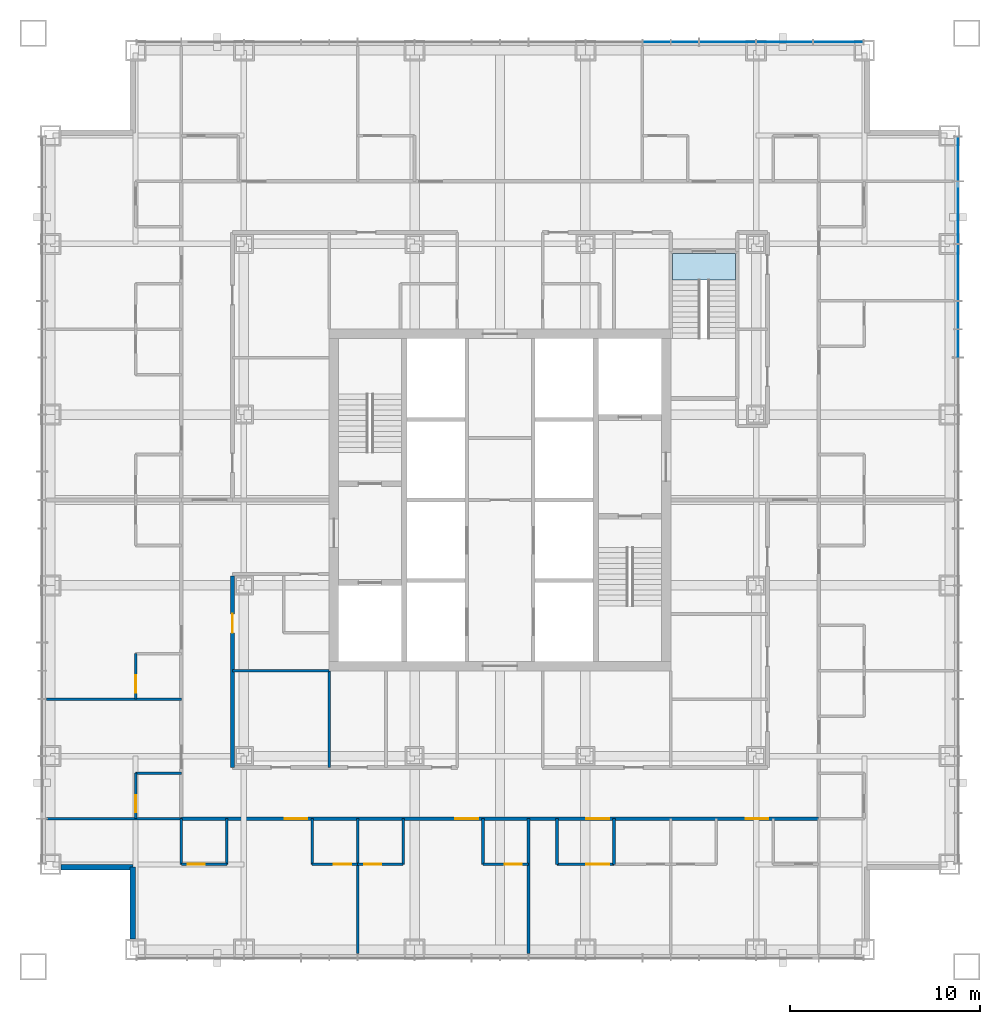
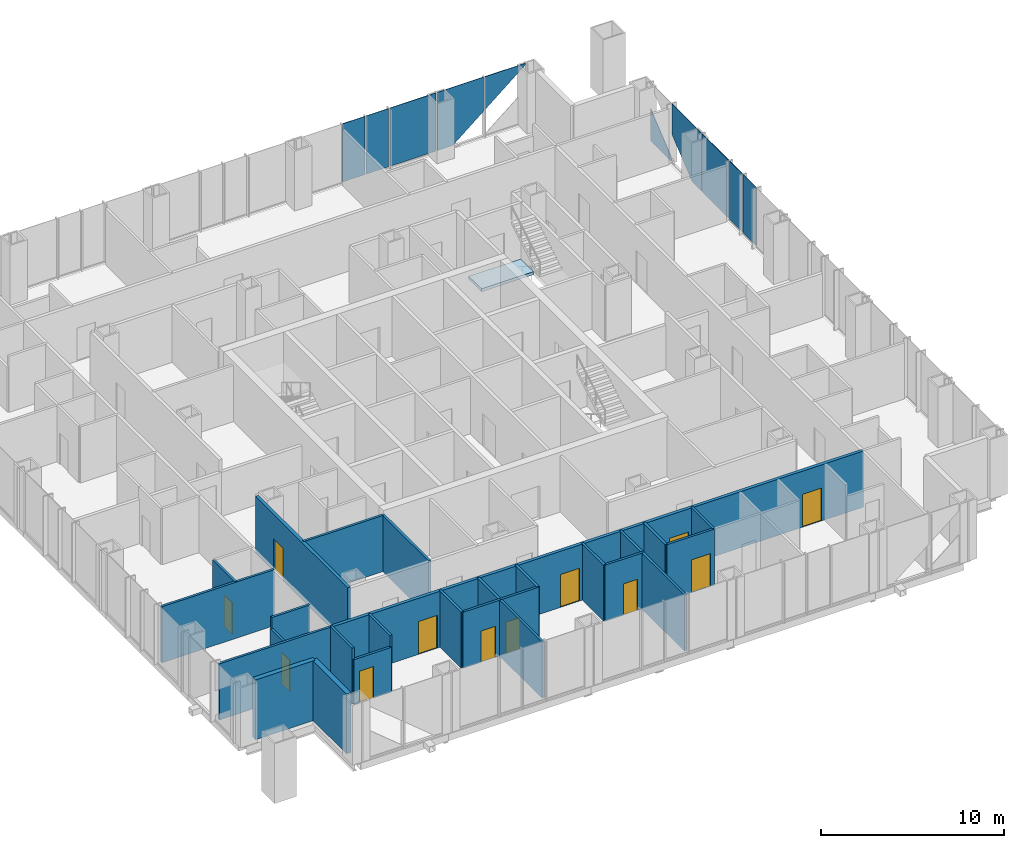
# One storey, part 8 of 18: 25 walls, 12 doors, 10 plates, 1 slab, 12 openings, 3 elements without a shape of their own.
"""IFC4 building model written with IfcOpenShell, lengths in metres."""

from ifc_helpers import new_model, si_unit, direction, frame, frame_2d, origin, origin_2d, place, context, subcontext, project, spatial, polyline, rectangle, outline, extrude, material, layer, layer_set, type_object, element, fill, aggregate, save


model = new_model("IFC4")

# Units and contexts
model_context = context("Model", 3, precision=1e-05, world=origin(), true_north=direction((0.0, 1.0)))
body_context = subcontext(model_context, "Body", "Model", "MODEL_VIEW")
ifc_project = project(units=[si_unit("LENGTHUNIT", "METRE"), si_unit("AREAUNIT", "SQUARE_METRE"), si_unit("VOLUMEUNIT", "CUBIC_METRE"), si_unit("PLANEANGLEUNIT", "RADIAN"), si_unit("MASSUNIT", "GRAM", prefix="KILO")], contexts=[model_context])

# Site, building, storey
site_placement = place(None, origin())
site = spatial("IfcSite", under=ifc_project, at=site_placement, CompositionType="ELEMENT")
building_placement = place(site_placement, origin())
building = spatial("IfcBuilding", under=site, at=building_placement, Name="Malebo Sky Hospital", CompositionType="ELEMENT")
storey_placement = place(building_placement, frame((0.0, 0.0, 132.0)))
storey = spatial("IfcBuildingStorey", under=building, at=storey_placement, Name="L31", CompositionType="ELEMENT", Elevation=132.0)

# Stair, slab
ifc_material_1 = material(Name="Concrete C40/50", Category="concrete")
stair_type = type_object("IfcStairType", Name="HALF-TURN STAIR 1400 R167", PredefinedType="HALF_TURN_STAIR", material=ifc_material_1)
stair_placement = place(storey_placement, origin())
stair = element("IfcStair", 1, at=stair_placement, inside=storey, type_object=stair_type, Name="Stair S3 L31 type ST1B", PredefinedType="HALF_TURN_STAIR")
ifc_layer_1 = layer(ifc_material_1, 0.199951171875)
ifc_layer_set_1 = layer_set([ifc_layer_1], Name="STAIR LANDING 200")
slab_type = type_object("IfcSlabType", Name="STAIR LANDING 200", PredefinedType="LANDING", material=ifc_layer_set_1)
slab_placement = place(storey_placement, frame((0.0, 0.0, -0.199951171875)))
slab = element("IfcSlab", 2, at=slab_placement, type_object=slab_type, Name="S3 landing 1", PredefinedType="LANDING", context=body_context, shape_type="SweptSolid", body=[
    extrude(outline(polyline([(69.10009765625, 73.60009765625), (72.39990234375, 73.60009765625), (72.39990234375, 75.0), (69.10009765625, 75.0), (69.10009765625, 73.60009765625)])), origin(), (0.0, 0.0, 1.0), 0.199951171875),
])
aggregate(stair, [slab])

# Curtain wall, plates
ifc_material_2 = material(Name="Anodised aluminium, natural silver", Category="aluminium")
ifc_layer_2 = layer(ifc_material_2, 0.25)
ifc_layer_set_2 = layer_set([ifc_layer_2], Name="WARD CURTAIN WALL NORTH AND SOUTH")
curtain_wall_type_1 = type_object("IfcCurtainWallType", Name="WARD CURTAIN WALL NORTH AND SOUTH", PredefinedType="NOTDEFINED", material=ifc_layer_set_2)
curtain_wall_1_placement = place(storey_placement, origin())
curtain_wall_1 = element("IfcCurtainWall", 3, at=curtain_wall_1_placement, inside=storey, type_object=curtain_wall_type_1, Name="NS curtain wall N", PredefinedType="NOTDEFINED")
ifc_material_3 = material(Name="Clear low-iron double glazing", Category="glass")
ifc_layer_3 = layer(ifc_material_3, 0.031982421875)
ifc_layer_set_3 = layer_set([ifc_layer_3], Name="VISION PANEL CLEAR 32")
plate_type = type_object("IfcPlateType", Name="VISION PANEL CLEAR 32", PredefinedType="CURTAIN_PANEL", material=ifc_layer_set_3)
plate_1_placement = place(storey_placement, frame((68.25, 86.135009765625, 0.10009765625), z_axis=(0.0, 0.0, 1.0), x_axis=(1.0, 0.0, 0.0)))
plate_1 = element("IfcPlate", 4, at=plate_1_placement, type_object=plate_type, Name="Panel 12", PredefinedType="CURTAIN_PANEL", context=body_context, shape_type="SweptSolid", body=[
    extrude(rectangle(XDim=1.425048828125, YDim=0.031982421875, at=origin_2d()), origin(), (0.0, 0.0, 1.0), 3.889892578125),
])
plate_2_placement = place(storey_placement, frame((69.75, 86.135009765625, 0.10009765625), z_axis=(0.0, 0.0, 1.0), x_axis=(1.0, 0.0, 0.0)))
plate_2 = element("IfcPlate", 5, at=plate_2_placement, type_object=plate_type, Name="Panel 13", PredefinedType="CURTAIN_PANEL", context=body_context, shape_type="SweptSolid", body=[
    extrude(rectangle(XDim=1.425048828125, YDim=0.031982421875, at=origin_2d()), origin(), (0.0, 0.0, 1.0), 3.889892578125),
])
plate_3_placement = place(storey_placement, frame((72.0, 86.135009765625, 0.10009765625), z_axis=(0.0, 0.0, 1.0), x_axis=(1.0, 0.0, 0.0)))
plate_3 = element("IfcPlate", 6, at=plate_3_placement, type_object=plate_type, Name="Panel 14", PredefinedType="CURTAIN_PANEL", context=body_context, shape_type="SweptSolid", body=[
    extrude(rectangle(XDim=2.925048828125, YDim=0.031982421875, at=origin_2d()), origin(), (0.0, 0.0, 1.0), 3.889892578125),
])
plate_4_placement = place(storey_placement, frame((75.0, 86.135009765625, 0.10009765625), z_axis=(0.0, 0.0, 1.0), x_axis=(1.0, 0.0, 0.0)))
plate_4 = element("IfcPlate", 7, at=plate_4_placement, type_object=plate_type, Name="Panel 15", PredefinedType="CURTAIN_PANEL", context=body_context, shape_type="SweptSolid", body=[
    extrude(outline(polyline([(-1.46240234375, 0.0), (-0.4833984375, 0.0), (1.46240234375, 1.603759765625), (1.46240234375, 3.889892578125), (-1.46240234375, 3.889892578125), (-1.46240234375, 0.0)])), frame((0.0, 0.01611328125, 0.0), z_axis=(0.0, -1.0, 0.0), x_axis=(1.0, 0.0, 0.0)), (0.0, 0.0, 1.0), 0.031982421875),
])
plate_5_placement = place(storey_placement, frame((77.831298828125, 86.135009765625, 1.765625), z_axis=(0.0, 0.0, 1.0), x_axis=(1.0, 0.0, 0.0)))
plate_5 = element("IfcPlate", 8, at=plate_5_placement, type_object=plate_type, Name="Panel 16", PredefinedType="CURTAIN_PANEL", context=body_context, shape_type="SweptSolid", body=[
    extrude(outline(polyline([(-1.293701171875, 0.0), (1.293701171875, 2.132568359375), (1.293701171875, 2.224365234375), (-1.293701171875, 2.224365234375), (-1.293701171875, 0.0)])), frame((0.0, 0.01611328125, 0.0), z_axis=(0.0, -1.0, 0.0), x_axis=(1.0, 0.0, 0.0)), (0.0, 0.0, 1.0), 0.031982421875),
])
aggregate(curtain_wall_1, [plate_1, plate_2, plate_3, plate_4, plate_5])

ifc_layer_4 = layer(ifc_material_2, 0.25)
ifc_layer_set_4 = layer_set([ifc_layer_4], Name="WARD CURTAIN WALL EAST AND WEST")
curtain_wall_type_2 = type_object("IfcCurtainWallType", Name="WARD CURTAIN WALL EAST AND WEST", PredefinedType="NOTDEFINED", material=ifc_layer_set_4)
curtain_wall_2_placement = place(storey_placement, origin())
curtain_wall_2 = element("IfcCurtainWall", 9, at=curtain_wall_2_placement, inside=storey, type_object=curtain_wall_type_2, Name="EW curtain wall E", PredefinedType="NOTDEFINED")
plate_6_placement = place(storey_placement, frame((84.135009765625, 79.981201171875, 0.10009765625), z_axis=(0.0, 0.0, 1.0), x_axis=(0.0, -1.0, 0.0)))
plate_6 = element("IfcPlate", 10, at=plate_6_placement, type_object=plate_type, Name="Panel 1", PredefinedType="CURTAIN_PANEL", context=body_context, shape_type="SweptSolid", body=[
    extrude(outline(polyline([(-1.143798828125, 0.0), (1.143798828125, 0.0), (1.143798828125, 0.291748046875), (-1.143798828125, 2.177001953125), (-1.143798828125, 0.0)])), frame((0.0, 0.01611328125, 0.0), z_axis=(0.0, -1.0, 0.0), x_axis=(1.0, 0.0, 0.0)), (0.0, 0.0, 1.0), 0.031982421875),
])
plate_7_placement = place(storey_placement, frame((84.135009765625, 77.14990234375, 0.10009765625), z_axis=(0.0, 0.0, 1.0), x_axis=(0.0, -1.0, 0.0)))
plate_7 = element("IfcPlate", 11, at=plate_7_placement, type_object=plate_type, Name="Panel 2", PredefinedType="CURTAIN_PANEL", context=body_context, shape_type="SweptSolid", body=[
    extrude(outline(polyline([(0.63330078125, 0.0), (1.612548828125, 0.0), (1.612548828125, 3.889892578125), (-1.612548828125, 3.889892578125), (-1.612548828125, 1.85107421875), (0.63330078125, 0.0)])), frame((0.0, 0.01611328125, 0.0), z_axis=(0.0, -1.0, 0.0), x_axis=(1.0, 0.0, 0.0)), (0.0, 0.0, 1.0), 0.031982421875),
])
plate_8_placement = place(storey_placement, frame((84.135009765625, 74.0, 0.10009765625), z_axis=(0.0, 0.0, 1.0), x_axis=(0.0, -1.0, 0.0)))
plate_8 = element("IfcPlate", 12, at=plate_8_placement, type_object=plate_type, Name="Panel 3", PredefinedType="CURTAIN_PANEL", context=body_context, shape_type="SweptSolid", body=[
    extrude(rectangle(XDim=2.925048828125, YDim=0.031982421875, at=origin_2d()), origin(), (0.0, 0.0, 1.0), 3.889892578125),
])
plate_9_placement = place(storey_placement, frame((84.135009765625, 71.75, 0.10009765625), z_axis=(0.0, 0.0, 1.0), x_axis=(0.0, -1.0, 0.0)))
plate_9 = element("IfcPlate", 13, at=plate_9_placement, type_object=plate_type, Name="Panel 4", PredefinedType="CURTAIN_PANEL", context=body_context, shape_type="SweptSolid", body=[
    extrude(rectangle(XDim=1.425048828125, YDim=0.031982421875, at=origin_2d()), origin(), (0.0, 0.0, 1.0), 3.889892578125),
])
plate_10_placement = place(storey_placement, frame((84.135009765625, 70.25, 0.10009765625), z_axis=(0.0, 0.0, 1.0), x_axis=(0.0, -1.0, 0.0)))
plate_10 = element("IfcPlate", 14, at=plate_10_placement, type_object=plate_type, Name="Panel 5", PredefinedType="CURTAIN_PANEL", context=body_context, shape_type="SweptSolid", body=[
    extrude(rectangle(XDim=1.425048828125, YDim=0.031982421875, at=origin_2d()), origin(), (0.0, 0.0, 1.0), 3.889892578125),
])
aggregate(curtain_wall_2, [plate_6, plate_7, plate_8, plate_9, plate_10])

# Wall, opening, door
ifc_material_4 = material(Name="Gypsum board on steel studs", Category="steel")
ifc_layer_5 = layer(ifc_material_4, 0.199951171875)
ifc_layer_set_5 = layer_set([ifc_layer_5], Name="CORRIDOR WALL 200")
wall_type_1 = type_object("IfcWallType", Name="CORRIDOR WALL 200", PredefinedType="PARTITIONING", material=ifc_layer_set_5)
wall_1_placement = place(storey_placement, frame((45.89990234375, 47.89990234375, 0.0), z_axis=(0.0, 0.0, 1.0), x_axis=(0.0, 1.0, 0.0)))
wall_1 = element("IfcWall", 15, at=wall_1_placement, inside=storey, type_object=wall_type_1, Name="Corridor Wall 200 WCI1", PredefinedType="PARTITIONING", context=body_context, shape_type="SweptSolid", body=[
    extrude(rectangle(XDim=10.10009765625, YDim=0.199951171875, at=frame_2d((5.050048828125, 0.0))), origin(), (0.0, 0.0, 1.0), 3.75),
])
opening_1_placement = place(wall_1_placement, frame((7.10009765625, 0.0, 0.0)))
opening_1 = element("IfcOpeningElement", 16, at=opening_1_placement, cuts=wall_1, Name="Opening D03", PredefinedType="OPENING", context=body_context, shape_type="SweptSolid", body=[
    extrude(rectangle(XDim=1.0, YDim=2.10009765625, at=frame_2d((0.5, 1.050048828125))), frame((0.0, 0.10986328125, 0.0), z_axis=(0.0, -1.0, 0.0), x_axis=(1.0, 0.0, 0.0)), (0.0, 0.0, 1.0), 0.219970703125),
])
ifc_material_5 = material(Name="Hardwood-faced door leaf in steel frame", Category="steel")
door_type_1 = type_object("IfcDoorType", Name="ROOM DOOR 1000", OperationType="SINGLE_SWING_LEFT", PredefinedType="DOOR", material=ifc_material_5)
door_1_placement = place(opening_1_placement, origin())
door_1 = element("IfcDoor", 17, at=door_1_placement, inside=storey, type_object=door_type_1, Name="Ward office door", OperationType="SINGLE_SWING_LEFT", OverallHeight=2.10009765625, OverallWidth=1.0, PredefinedType="DOOR", context=body_context, shape_type="SweptSolid", body=[
    extrude(rectangle(XDim=1.0, YDim=2.10009765625, at=frame_2d((0.5, 1.050048828125))), frame((0.0, 0.02490234375, 0.0), z_axis=(0.0, -1.0, 0.0), x_axis=(1.0, 0.0, 0.0)), (0.0, 0.0, 1.0), 0.050048828125),
])
fill(opening_1, door_1)

# Wall, openings, doors
wall_2_placement = place(storey_placement, frame((76.800048828125, 45.199951171875, 0.0), z_axis=(0.0, 0.0, 1.0), x_axis=(-1.0, 0.0, 0.0)))
wall_2 = element("IfcWall", 18, at=wall_2_placement, inside=storey, type_object=wall_type_1, Name="Corridor Wall 200 SCO", PredefinedType="PARTITIONING", context=body_context, shape_type="SweptSolid", body=[
    extrude(rectangle(XDim=33.60009765625, YDim=0.199951171875, at=frame_2d((16.800048828125, 0.0))), origin(), (0.0, 0.0, 1.0), 3.75),
])
opening_2_placement = place(wall_2_placement, frame((2.64990234375, 0.0, 0.0)))
opening_2 = element("IfcOpeningElement", 19, at=opening_2_placement, cuts=wall_2, Name="Opening D01", PredefinedType="OPENING", context=body_context, shape_type="SweptSolid", body=[
    extrude(rectangle(XDim=1.199951171875, YDim=2.199951171875, at=frame_2d((0.60009765625, 1.10009765625))), frame((0.0, 0.10986328125, 0.0), z_axis=(0.0, -1.0, 0.0), x_axis=(1.0, 0.0, 0.0)), (0.0, 0.0, 1.0), 0.219970703125),
])
opening_3_placement = place(wall_2_placement, frame((11.050048828125, 0.0, 0.0)))
opening_3 = element("IfcOpeningElement", 20, at=opening_3_placement, cuts=wall_2, Name="Opening D18", PredefinedType="OPENING", context=body_context, shape_type="SweptSolid", body=[
    extrude(rectangle(XDim=1.199951171875, YDim=2.199951171875, at=frame_2d((0.60009765625, 1.10009765625))), frame((0.0, 0.10986328125, 0.0), z_axis=(0.0, -1.0, 0.0), x_axis=(1.0, 0.0, 0.0)), (0.0, 0.0, 1.0), 0.219970703125),
])
opening_4_placement = place(wall_2_placement, frame((17.949951171875, 0.0, 0.0)))
opening_4 = element("IfcOpeningElement", 21, at=opening_4_placement, cuts=wall_2, Name="Opening D01", PredefinedType="OPENING", context=body_context, shape_type="SweptSolid", body=[
    extrude(rectangle(XDim=1.199951171875, YDim=2.199951171875, at=frame_2d((0.60009765625, 1.10009765625))), frame((0.0, 0.10986328125, 0.0), z_axis=(0.0, -1.0, 0.0), x_axis=(1.0, 0.0, 0.0)), (0.0, 0.0, 1.0), 0.219970703125),
])
opening_5_placement = place(wall_2_placement, frame((26.949951171875, 0.0, 0.0)))
opening_5 = element("IfcOpeningElement", 22, at=opening_5_placement, cuts=wall_2, Name="Opening D01", PredefinedType="OPENING", context=body_context, shape_type="SweptSolid", body=[
    extrude(rectangle(XDim=1.199951171875, YDim=2.199951171875, at=frame_2d((0.60009765625, 1.10009765625))), frame((0.0, 0.10986328125, 0.0), z_axis=(0.0, -1.0, 0.0), x_axis=(1.0, 0.0, 0.0)), (0.0, 0.0, 1.0), 0.219970703125),
])
door_type_2 = type_object("IfcDoorType", Name="ANTEROOM DOOR 1200", OperationType="SINGLE_SWING_LEFT", PredefinedType="DOOR", material=ifc_material_5)
door_2_placement = place(opening_3_placement, origin())
door_2 = element("IfcDoor", 23, at=door_2_placement, inside=storey, type_object=door_type_2, Name="Anteroom door", OperationType="SINGLE_SWING_LEFT", OverallHeight=2.199951171875, OverallWidth=1.199951171875, PredefinedType="DOOR", context=body_context, shape_type="SweptSolid", body=[
    extrude(rectangle(XDim=1.199951171875, YDim=2.199951171875, at=frame_2d((0.60009765625, 1.10009765625))), frame((0.0, 0.02490234375, 0.0), z_axis=(0.0, -1.0, 0.0), x_axis=(1.0, 0.0, 0.0)), (0.0, 0.0, 1.0), 0.050048828125),
])
fill(opening_3, door_2)
door_type_3 = type_object("IfcDoorType", Name="BED DOOR 1200", OperationType="SINGLE_SWING_LEFT", PredefinedType="DOOR", material=ifc_material_5)
door_3_placement = place(opening_2_placement, origin())
door_3 = element("IfcDoor", 24, at=door_3_placement, inside=storey, type_object=door_type_3, Name="Four-bed bay door", OperationType="SINGLE_SWING_LEFT", OverallHeight=2.199951171875, OverallWidth=1.199951171875, PredefinedType="DOOR", context=body_context, shape_type="SweptSolid", body=[
    extrude(rectangle(XDim=1.199951171875, YDim=2.199951171875, at=frame_2d((0.60009765625, 1.10009765625))), frame((0.0, 0.02490234375, 0.0), z_axis=(0.0, -1.0, 0.0), x_axis=(1.0, 0.0, 0.0)), (0.0, 0.0, 1.0), 0.050048828125),
])
fill(opening_2, door_3)
door_4_placement = place(opening_4_placement, origin())
door_4 = element("IfcDoor", 25, at=door_4_placement, inside=storey, type_object=door_type_3, Name="Four-bed bay door", OperationType="SINGLE_SWING_LEFT", OverallHeight=2.199951171875, OverallWidth=1.199951171875, PredefinedType="DOOR", context=body_context, shape_type="SweptSolid", body=[
    extrude(rectangle(XDim=1.199951171875, YDim=2.199951171875, at=frame_2d((0.60009765625, 1.10009765625))), frame((0.0, 0.02490234375, 0.0), z_axis=(0.0, -1.0, 0.0), x_axis=(1.0, 0.0, 0.0)), (0.0, 0.0, 1.0), 0.050048828125),
])
fill(opening_4, door_4)
door_5_placement = place(opening_5_placement, origin())
door_5 = element("IfcDoor", 26, at=door_5_placement, inside=storey, type_object=door_type_3, Name="Four-bed bay door", OperationType="SINGLE_SWING_LEFT", OverallHeight=2.199951171875, OverallWidth=1.199951171875, PredefinedType="DOOR", context=body_context, shape_type="SweptSolid", body=[
    extrude(rectangle(XDim=1.199951171875, YDim=2.199951171875, at=frame_2d((0.60009765625, 1.10009765625))), frame((0.0, 0.02490234375, 0.0), z_axis=(0.0, -1.0, 0.0), x_axis=(1.0, 0.0, 0.0)), (0.0, 0.0, 1.0), 0.050048828125),
])
fill(opening_5, door_5)

# Walls
ifc_material_6 = material(Name="Anodised aluminium rainscreen on steel framing", Category="steel")
ifc_layer_6 = layer(ifc_material_6, 0.300048828125)
ifc_layer_set_6 = layer_set([ifc_layer_6], Name="NOTCH RAINSCREEN WALL 300")
wall_type_2 = type_object("IfcWallType", Name="NOTCH RAINSCREEN WALL 300", PredefinedType="ELEMENTEDWALL", material=ifc_layer_set_6)
for number, where, z_axis, x_axis, name in (
    (27, (40.64990234375, 38.85009765625, 0.0), (0.0, 0.0, 1.0), (0.0, 1.0, 0.0), "Notch rainscreen wall S1 L31"),
    (28, (40.64990234375, 42.64990234375, 0.0), (0.0, 0.0, 1.0), (-1.0, 0.0, 0.0), "Notch rainscreen wall S2 L31"),
):
    element("IfcWall", number, at=place(storey_placement, frame(where, z_axis=z_axis, x_axis=x_axis)), inside=storey, type_object=wall_type_2, Name=name, PredefinedType="ELEMENTEDWALL", context=body_context, shape_type="SweptSolid", body=[
        extrude(rectangle(XDim=3.7998046875, YDim=0.300048828125, at=frame_2d((1.89990234375, 0.0))), origin(), (0.0, 0.0, 1.0), 4.0),
    ])
ifc_layer_7 = layer(ifc_material_4, 0.14990234375)
ifc_layer_set_7 = layer_set([ifc_layer_7], Name="PARTITION 150")
wall_type_3 = type_object("IfcWallType", Name="PARTITION 150", PredefinedType="PARTITIONING", material=ifc_layer_set_7)
for number, where, z_axis, x_axis, name in (
    (29, (43.199951171875, 51.5, 0.0), (0.0, 0.0, 1.0), (-1.0, 0.0, 0.0), "Partition 150 WP-10.5"),
    (30, (43.199951171875, 45.199951171875, 0.0), (0.0, 0.0, 1.0), (-1.0, 0.0, 0.0), "Partition 150 WP0"),
):
    element("IfcWall", number, at=place(storey_placement, frame(where, z_axis=z_axis, x_axis=x_axis)), inside=storey, type_object=wall_type_3, Name=name, PredefinedType="PARTITIONING", context=body_context, shape_type="SweptSolid", body=[
        extrude(rectangle(XDim=7.10986328125, YDim=0.14990234375, at=frame_2d((3.554931640625, 0.0))), origin(), (0.0, 0.0, 1.0), 3.75),
    ])

# Wall, opening, door
wall_3_placement = place(storey_placement, frame((40.800048828125, 45.199951171875, 0.0), z_axis=(0.0, 0.0, 1.0), x_axis=(0.0, 1.0, 0.0)))
wall_3 = element("IfcWall", 31, at=wall_3_placement, inside=storey, type_object=wall_type_3, Name="Partition 150 WE0F", PredefinedType="PARTITIONING", context=body_context, shape_type="SweptSolid", body=[
    extrude(rectangle(XDim=2.400146484375, YDim=0.14990234375, at=frame_2d((1.2001953125, 0.0))), origin(), (0.0, 0.0, 1.0), 2.9970703125),
])
opening_6_placement = place(wall_3_placement, frame((0.35009765625, 0.0, 0.0)))
opening_6 = element("IfcOpeningElement", 32, at=opening_6_placement, cuts=wall_3, Name="Opening D02", PredefinedType="OPENING", context=body_context, shape_type="SweptSolid", body=[
    extrude(rectangle(XDim=0.89990234375, YDim=2.10009765625, at=frame_2d((0.449951171875, 1.050048828125))), frame((0.0, 0.0849609375, 0.0), z_axis=(0.0, -1.0, 0.0), x_axis=(1.0, 0.0, 0.0)), (0.0, 0.0, 1.0), 0.169921875),
])
door_type_4 = type_object("IfcDoorType", Name="EN-SUITE DOOR 900", OperationType="SINGLE_SWING_LEFT", PredefinedType="DOOR", material=ifc_material_5)
door_6_placement = place(opening_6_placement, origin())
door_6 = element("IfcDoor", 33, at=door_6_placement, inside=storey, type_object=door_type_4, Name="En-suite door", OperationType="SINGLE_SWING_LEFT", OverallHeight=2.10009765625, OverallWidth=0.89990234375, PredefinedType="DOOR", context=body_context, shape_type="SweptSolid", body=[
    extrude(rectangle(XDim=0.89990234375, YDim=2.10009765625, at=frame_2d((0.449951171875, 1.050048828125))), frame((0.0, 0.02490234375, 0.0), z_axis=(0.0, -1.0, 0.0), x_axis=(1.0, 0.0, 0.0)), (0.0, 0.0, 1.0), 0.050048828125),
])
fill(opening_6, door_6)

# Wall
wall_4_placement = place(storey_placement, frame((43.199951171875, 47.60009765625, 0.0), z_axis=(0.0, 0.0, 1.0), x_axis=(-1.0, 0.0, 0.0)))
element("IfcWall", 34, at=wall_4_placement, inside=storey, type_object=wall_type_3, Name="Partition 150 WE0S", PredefinedType="PARTITIONING", context=body_context, shape_type="SweptSolid", body=[
    extrude(rectangle(XDim=2.39990234375, YDim=0.14990234375, at=frame_2d((1.199951171875, 0.0))), origin(), (0.0, 0.0, 1.0), 3.75),
])

# Wall, opening, door
wall_5_placement = place(storey_placement, frame((40.800048828125, 51.5, 0.0), z_axis=(0.0, 0.0, 1.0), x_axis=(0.0, 1.0, 0.0)))
wall_5 = element("IfcWall", 35, at=wall_5_placement, inside=storey, type_object=wall_type_3, Name="Partition 150 WE1F", PredefinedType="PARTITIONING", context=body_context, shape_type="SweptSolid", body=[
    extrude(rectangle(XDim=2.39990234375, YDim=0.14990234375, at=frame_2d((1.199951171875, 0.0))), origin(), (0.0, 0.0, 1.0), 3.75),
])
opening_7_placement = place(wall_5_placement, frame((0.35009765625, 0.0, 0.0)))
opening_7 = element("IfcOpeningElement", 36, at=opening_7_placement, cuts=wall_5, Name="Opening D02", PredefinedType="OPENING", context=body_context, shape_type="SweptSolid", body=[
    extrude(rectangle(XDim=0.89990234375, YDim=2.10009765625, at=frame_2d((0.449951171875, 1.050048828125))), frame((0.0, 0.0849609375, 0.0), z_axis=(0.0, -1.0, 0.0), x_axis=(1.0, 0.0, 0.0)), (0.0, 0.0, 1.0), 0.169921875),
])
door_7_placement = place(opening_7_placement, origin())
door_7 = element("IfcDoor", 37, at=door_7_placement, inside=storey, type_object=door_type_4, Name="En-suite door", OperationType="SINGLE_SWING_LEFT", OverallHeight=2.10009765625, OverallWidth=0.89990234375, PredefinedType="DOOR", context=body_context, shape_type="SweptSolid", body=[
    extrude(rectangle(XDim=0.89990234375, YDim=2.10009765625, at=frame_2d((0.449951171875, 1.050048828125))), frame((0.0, 0.02490234375, 0.0), z_axis=(0.0, -1.0, 0.0), x_axis=(1.0, 0.0, 0.0)), (0.0, 0.0, 1.0), 0.050048828125),
])
fill(opening_7, door_7)

# Walls
wall_6_placement = place(storey_placement, frame((51.0, 53.0, 0.0), z_axis=(0.0, 0.0, 1.0), x_axis=(-1.0, 0.0, 0.0)))
element("IfcWall", 38, at=wall_6_placement, inside=storey, type_object=wall_type_3, Name="Partition 150 WSP0", PredefinedType="PARTITIONING", context=body_context, shape_type="SweptSolid", body=[
    extrude(rectangle(XDim=5.10009765625, YDim=0.14990234375, at=frame_2d((2.550048828125, 0.0))), origin(), (0.0, 0.0, 1.0), 3.75),
])
for number, where, z_axis, x_axis, name in (
    (39, (61.5, 45.199951171875, 0.0), (0.0, 0.0, 1.0), (0.0, -1.0, 0.0), "Partition 150 SP-1.5"),
    (40, (52.5, 45.199951171875, 0.0), (0.0, 0.0, 1.0), (0.0, -1.0, 0.0), "Partition 150 SP+7.5"),
):
    element("IfcWall", number, at=place(storey_placement, frame(where, z_axis=z_axis, x_axis=x_axis)), inside=storey, type_object=wall_type_3, Name=name, PredefinedType="PARTITIONING", context=body_context, shape_type="SweptSolid", body=[
        extrude(rectangle(XDim=7.10986328125, YDim=0.14990234375, at=frame_2d((3.554931640625, 0.0))), origin(), (0.0, 0.0, 1.0), 3.75),
    ])
wall_7_placement = place(storey_placement, frame((66.0, 45.199951171875, 0.0), z_axis=(0.0, 0.0, 1.0), x_axis=(0.0, -1.0, 0.0)))
element("IfcWall", 41, at=wall_7_placement, inside=storey, type_object=wall_type_3, Name="Partition 150 SE1S", PredefinedType="PARTITIONING", context=body_context, shape_type="SweptSolid", body=[
    extrude(rectangle(XDim=2.39990234375, YDim=0.14990234375, at=frame_2d((1.199951171875, 0.0))), origin(), (0.0, 0.0, 1.0), 3.75),
])

# Wall, opening, door
wall_8_placement = place(storey_placement, frame((61.5, 42.800048828125, 0.0), z_axis=(0.0, 0.0, 1.0), x_axis=(-1.0, 0.0, 0.0)))
wall_8 = element("IfcWall", 42, at=wall_8_placement, inside=storey, type_object=wall_type_3, Name="Partition 150 SE2F", PredefinedType="PARTITIONING", context=body_context, shape_type="SweptSolid", body=[
    extrude(rectangle(XDim=2.39990234375, YDim=0.14990234375, at=frame_2d((1.199951171875, 0.0))), origin(), (0.0, 0.0, 1.0), 3.75),
])
opening_8_placement = place(wall_8_placement, frame((0.35009765625, 0.0, 0.0)))
opening_8 = element("IfcOpeningElement", 43, at=opening_8_placement, cuts=wall_8, Name="Opening D02", PredefinedType="OPENING", context=body_context, shape_type="SweptSolid", body=[
    extrude(rectangle(XDim=0.89990234375, YDim=2.10009765625, at=frame_2d((0.449951171875, 1.050048828125))), frame((0.0, 0.0849609375, 0.0), z_axis=(0.0, -1.0, 0.0), x_axis=(1.0, 0.0, 0.0)), (0.0, 0.0, 1.0), 0.169921875),
])
door_8_placement = place(opening_8_placement, origin())
door_8 = element("IfcDoor", 44, at=door_8_placement, inside=storey, type_object=door_type_4, Name="En-suite door", OperationType="SINGLE_SWING_LEFT", OverallHeight=2.10009765625, OverallWidth=0.89990234375, PredefinedType="DOOR", context=body_context, shape_type="SweptSolid", body=[
    extrude(rectangle(XDim=0.89990234375, YDim=2.10009765625, at=frame_2d((0.449951171875, 1.050048828125))), frame((0.0, 0.02490234375, 0.0), z_axis=(0.0, -1.0, 0.0), x_axis=(1.0, 0.0, 0.0)), (0.0, 0.0, 1.0), 0.050048828125),
])
fill(opening_8, door_8)

# Wall
wall_9_placement = place(storey_placement, frame((59.10009765625, 45.199951171875, 0.0), z_axis=(0.0, 0.0, 1.0), x_axis=(0.0, -1.0, 0.0)))
element("IfcWall", 45, at=wall_9_placement, inside=storey, type_object=wall_type_3, Name="Partition 150 SE2S", PredefinedType="PARTITIONING", context=body_context, shape_type="SweptSolid", body=[
    extrude(rectangle(XDim=2.39990234375, YDim=0.14990234375, at=frame_2d((1.199951171875, 0.0))), origin(), (0.0, 0.0, 1.0), 3.75),
])

# Wall, opening, door
wall_10_placement = place(storey_placement, frame((54.89990234375, 42.800048828125, 0.0), z_axis=(0.0, 0.0, 1.0), x_axis=(-1.0, 0.0, 0.0)))
wall_10 = element("IfcWall", 46, at=wall_10_placement, inside=storey, type_object=wall_type_3, Name="Partition 150 SG2F", PredefinedType="PARTITIONING", context=body_context, shape_type="SweptSolid", body=[
    extrude(rectangle(XDim=2.39990234375, YDim=0.14990234375, at=frame_2d((1.199951171875, 0.0))), origin(), (0.0, 0.0, 1.0), 3.75),
])
opening_9_placement = place(wall_10_placement, frame((1.14990234375, 0.0, 0.0)))
opening_9 = element("IfcOpeningElement", 47, at=opening_9_placement, cuts=wall_10, Name="Opening D02", PredefinedType="OPENING", context=body_context, shape_type="SweptSolid", body=[
    extrude(rectangle(XDim=0.89990234375, YDim=2.10009765625, at=frame_2d((0.449951171875, 1.050048828125))), frame((0.0, 0.0849609375, 0.0), z_axis=(0.0, -1.0, 0.0), x_axis=(1.0, 0.0, 0.0)), (0.0, 0.0, 1.0), 0.169921875),
])
door_9_placement = place(opening_9_placement, origin())
door_9 = element("IfcDoor", 48, at=door_9_placement, inside=storey, type_object=door_type_4, Name="En-suite door", OperationType="SINGLE_SWING_RIGHT", OverallHeight=2.10009765625, OverallWidth=0.89990234375, PredefinedType="DOOR", context=body_context, shape_type="SweptSolid", body=[
    extrude(rectangle(XDim=0.89990234375, YDim=2.10009765625, at=frame_2d((0.449951171875, 1.050048828125))), frame((0.0, 0.02490234375, 0.0), z_axis=(0.0, -1.0, 0.0), x_axis=(1.0, 0.0, 0.0)), (0.0, 0.0, 1.0), 0.050048828125),
])
fill(opening_9, door_9)

# Wall
wall_11_placement = place(storey_placement, frame((54.89990234375, 45.199951171875, 0.0), z_axis=(0.0, 0.0, 1.0), x_axis=(0.0, -1.0, 0.0)))
element("IfcWall", 49, at=wall_11_placement, inside=storey, type_object=wall_type_3, Name="Partition 150 SG2S", PredefinedType="PARTITIONING", context=body_context, shape_type="SweptSolid", body=[
    extrude(rectangle(XDim=2.39990234375, YDim=0.14990234375, at=frame_2d((1.199951171875, 0.0))), origin(), (0.0, 0.0, 1.0), 3.75),
])

# Wall, opening, door
wall_12_placement = place(storey_placement, frame((52.5, 42.800048828125, 0.0), z_axis=(0.0, 0.0, 1.0), x_axis=(-1.0, 0.0, 0.0)))
wall_12 = element("IfcWall", 50, at=wall_12_placement, inside=storey, type_object=wall_type_3, Name="Partition 150 SE3F", PredefinedType="PARTITIONING", context=body_context, shape_type="SweptSolid", body=[
    extrude(rectangle(XDim=2.39990234375, YDim=0.14990234375, at=frame_2d((1.199951171875, 0.0))), origin(), (0.0, 0.0, 1.0), 3.75),
])
opening_10_placement = place(wall_12_placement, frame((0.35009765625, 0.0, 0.0)))
opening_10 = element("IfcOpeningElement", 51, at=opening_10_placement, cuts=wall_12, Name="Opening D02", PredefinedType="OPENING", context=body_context, shape_type="SweptSolid", body=[
    extrude(rectangle(XDim=0.89990234375, YDim=2.10009765625, at=frame_2d((0.449951171875, 1.050048828125))), frame((0.0, 0.0849609375, 0.0), z_axis=(0.0, -1.0, 0.0), x_axis=(1.0, 0.0, 0.0)), (0.0, 0.0, 1.0), 0.169921875),
])
door_10_placement = place(opening_10_placement, origin())
door_10 = element("IfcDoor", 52, at=door_10_placement, inside=storey, type_object=door_type_4, Name="En-suite door", OperationType="SINGLE_SWING_LEFT", OverallHeight=2.10009765625, OverallWidth=0.89990234375, PredefinedType="DOOR", context=body_context, shape_type="SweptSolid", body=[
    extrude(rectangle(XDim=0.89990234375, YDim=2.10009765625, at=frame_2d((0.449951171875, 1.050048828125))), frame((0.0, 0.02490234375, 0.0), z_axis=(0.0, -1.0, 0.0), x_axis=(1.0, 0.0, 0.0)), (0.0, 0.0, 1.0), 0.050048828125),
])
fill(opening_10, door_10)

# Wall
wall_13_placement = place(storey_placement, frame((50.10009765625, 45.199951171875, 0.0), z_axis=(0.0, 0.0, 1.0), x_axis=(0.0, -1.0, 0.0)))
element("IfcWall", 53, at=wall_13_placement, inside=storey, type_object=wall_type_3, Name="Partition 150 SE3S", PredefinedType="PARTITIONING", context=body_context, shape_type="SweptSolid", body=[
    extrude(rectangle(XDim=2.39990234375, YDim=0.14990234375, at=frame_2d((1.199951171875, 0.0))), origin(), (0.0, 0.0, 1.0), 3.75),
])

# Wall, opening, door
wall_14_placement = place(storey_placement, frame((45.60009765625, 42.800048828125, 0.0), z_axis=(0.0, 0.0, 1.0), x_axis=(-1.0, 0.0, 0.0)))
wall_14 = element("IfcWall", 54, at=wall_14_placement, inside=storey, type_object=wall_type_3, Name="Partition 150 SG3F", PredefinedType="PARTITIONING", context=body_context, shape_type="SweptSolid", body=[
    extrude(rectangle(XDim=2.400146484375, YDim=0.14990234375, at=frame_2d((1.2001953125, 0.0))), origin(), (0.0, 0.0, 1.0), 2.9970703125),
])
opening_11_placement = place(wall_14_placement, frame((1.14990234375, 0.0, 0.0)))
opening_11 = element("IfcOpeningElement", 55, at=opening_11_placement, cuts=wall_14, Name="Opening D02", PredefinedType="OPENING", context=body_context, shape_type="SweptSolid", body=[
    extrude(rectangle(XDim=0.89990234375, YDim=2.10009765625, at=frame_2d((0.449951171875, 1.050048828125))), frame((0.0, 0.0849609375, 0.0), z_axis=(0.0, -1.0, 0.0), x_axis=(1.0, 0.0, 0.0)), (0.0, 0.0, 1.0), 0.169921875),
])
door_11_placement = place(opening_11_placement, origin())
door_11 = element("IfcDoor", 56, at=door_11_placement, inside=storey, type_object=door_type_4, Name="En-suite door", OperationType="SINGLE_SWING_RIGHT", OverallHeight=2.10009765625, OverallWidth=0.89990234375, PredefinedType="DOOR", context=body_context, shape_type="SweptSolid", body=[
    extrude(rectangle(XDim=0.89990234375, YDim=2.10009765625, at=frame_2d((0.449951171875, 1.050048828125))), frame((0.0, 0.02490234375, 0.0), z_axis=(0.0, -1.0, 0.0), x_axis=(1.0, 0.0, 0.0)), (0.0, 0.0, 1.0), 0.050048828125),
])
fill(opening_11, door_11)

# Walls
for number, where, z_axis, x_axis, name in (
    (57, (45.60009765625, 45.199951171875, 0.0), (0.0, 0.0, 1.0), (0.0, -1.0, 0.0), "Partition 150 SG3S"),
    (58, (43.199951171875, 45.199951171875, 0.0), (0.0, 0.0, 1.0), (0.0, -1.0, 0.0), "Partition 150 SEZ"),
):
    element("IfcWall", number, at=place(storey_placement, frame(where, z_axis=z_axis, x_axis=x_axis)), inside=storey, type_object=wall_type_3, Name=name, PredefinedType="PARTITIONING", context=body_context, shape_type="SweptSolid", body=[
        extrude(rectangle(XDim=2.39990234375, YDim=0.14990234375, at=frame_2d((1.199951171875, 0.0))), origin(), (0.0, 0.0, 1.0), 3.75),
    ])
wall_15_placement = place(storey_placement, frame((51.0, 53.0, 0.0), z_axis=(0.0, 0.0, 1.0), x_axis=(0.0, -1.0, 0.0)))
element("IfcWall", 59, at=wall_15_placement, inside=storey, type_object=wall_type_3, Name="Partition 150 SSP+9.0", PredefinedType="PARTITIONING", context=body_context, shape_type="SweptSolid", body=[
    extrude(rectangle(XDim=5.10009765625, YDim=0.14990234375, at=frame_2d((2.550048828125, 0.0))), origin(), (0.0, 0.0, 1.0), 3.75),
])

# Wall, opening, door
ifc_material_7 = material(Name="Sealed gypsum board on steel studs, taped to the slab", Category="steel")
ifc_layer_8 = layer(ifc_material_7, 0.14990234375)
ifc_layer_set_8 = layer_set([ifc_layer_8], Name="SEALED ISOLATION PARTITION 150")
wall_type_4 = type_object("IfcWallType", Name="SEALED ISOLATION PARTITION 150", PredefinedType="PARTITIONING", material=ifc_layer_set_8)
wall_16_placement = place(storey_placement, frame((66.0, 42.800048828125, 0.0), z_axis=(0.0, 0.0, 1.0), x_axis=(-1.0, 0.0, 0.0)))
wall_16 = element("IfcWall", 60, at=wall_16_placement, inside=storey, type_object=wall_type_4, Name="Sealed Isolation Partition 150 SA1F", PredefinedType="PARTITIONING", context=body_context, shape_type="SweptSolid", body=[
    extrude(rectangle(XDim=3.0, YDim=0.14990234375, at=frame_2d((1.5, 0.0))), origin(), (0.0, 0.0, 1.0), 3.75),
])
opening_12_placement = place(wall_16_placement, frame((0.25, 0.0, 0.0)))
opening_12 = element("IfcOpeningElement", 61, at=opening_12_placement, cuts=wall_16, Name="Opening D19", PredefinedType="OPENING", context=body_context, shape_type="SweptSolid", body=[
    extrude(rectangle(XDim=1.199951171875, YDim=2.199951171875, at=frame_2d((0.60009765625, 1.10009765625))), frame((0.0, 0.0849609375, 0.0), z_axis=(0.0, -1.0, 0.0), x_axis=(1.0, 0.0, 0.0)), (0.0, 0.0, 1.0), 0.169921875),
])
ifc_material_8 = material(Name="Hardwood-faced door leaf with perimeter seals in steel frame", Category="steel")
door_type_5 = type_object("IfcDoorType", Name="SEALED ISOLATION ROOM DOOR 1200", OperationType="SINGLE_SWING_LEFT", PredefinedType="DOOR", material=ifc_material_8)
door_12_placement = place(opening_12_placement, origin())
door_12 = element("IfcDoor", 62, at=door_12_placement, inside=storey, type_object=door_type_5, Name="Isolation room door", OperationType="SINGLE_SWING_LEFT", OverallHeight=2.199951171875, OverallWidth=1.199951171875, PredefinedType="DOOR", context=body_context, shape_type="SweptSolid", body=[
    extrude(rectangle(XDim=1.199951171875, YDim=2.199951171875, at=frame_2d((0.60009765625, 1.10009765625))), frame((0.0, 0.02490234375, 0.0), z_axis=(0.0, -1.0, 0.0), x_axis=(1.0, 0.0, 0.0)), (0.0, 0.0, 1.0), 0.050048828125),
])
fill(opening_12, door_12)

# Wall
wall_17_placement = place(storey_placement, frame((63.0, 45.199951171875, 0.0), z_axis=(0.0, 0.0, 1.0), x_axis=(0.0, -1.0, 0.0)))
element("IfcWall", 63, at=wall_17_placement, inside=storey, type_object=wall_type_4, Name="Sealed Isolation Partition 150 SA1S", PredefinedType="PARTITIONING", context=body_context, shape_type="SweptSolid", body=[
    extrude(rectangle(XDim=2.39990234375, YDim=0.14990234375, at=frame_2d((1.199951171875, 0.0))), origin(), (0.0, 0.0, 1.0), 3.75),
])

save(model, "model.ifc")
